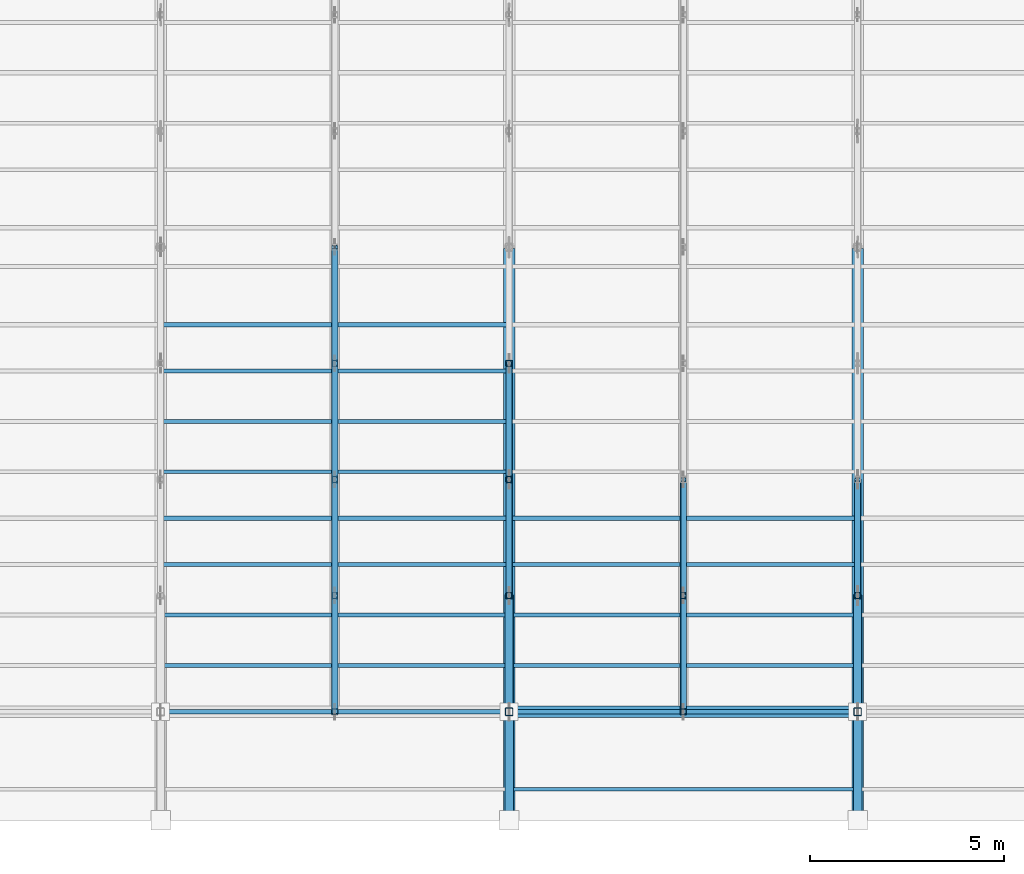
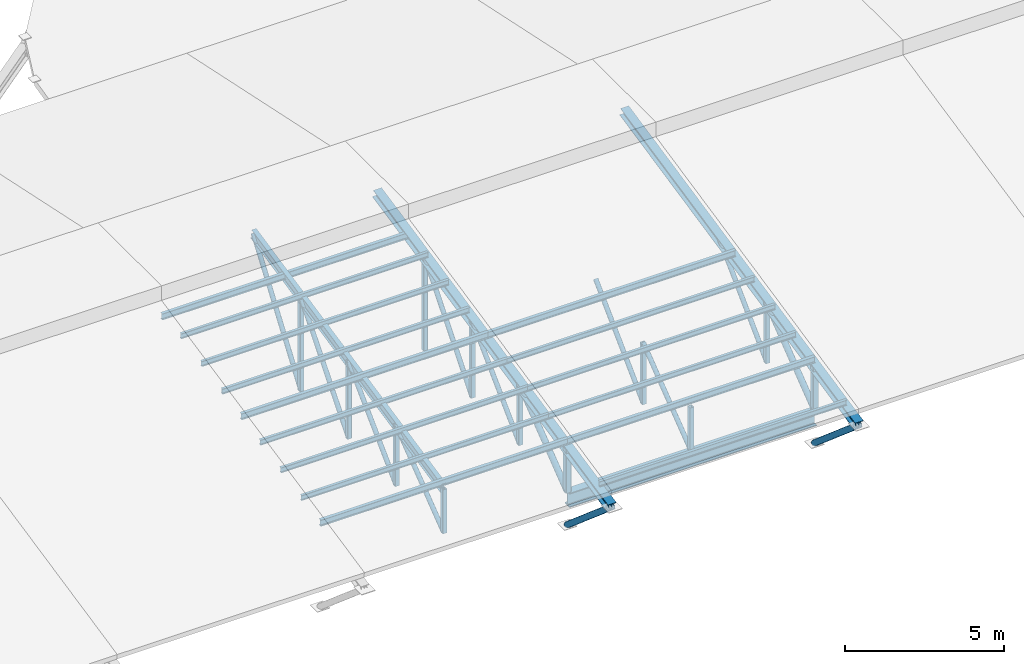
# One storey, part 10 of 43: 43 members, 1 beam.
"""IFC4 building model written with IfcOpenShell, lengths in metres."""

from ifc_helpers import new_model, si_unit, direction, frame, origin, origin_2d, place, context, subcontext, project, spatial, hollow_rectangle, hollow_circle, i_section, extrude, material, material_profile, profile_set, type_object, element, save


model = new_model("IFC4")

# Units and contexts
model_context = context("Model", 3, precision=1e-05, world=origin(), true_north=direction((0.0, 1.0)))
body_context = subcontext(model_context, "Body", "Model", "MODEL_VIEW")
ifc_project = project(units=[si_unit("LENGTHUNIT", "METRE"), si_unit("AREAUNIT", "SQUARE_METRE"), si_unit("VOLUMEUNIT", "CUBIC_METRE"), si_unit("PLANEANGLEUNIT", "RADIAN"), si_unit("MASSUNIT", "GRAM", prefix="KILO")], contexts=[model_context])

# Site, building, storey
site_placement = place(None, origin())
site = spatial("IfcSite", under=ifc_project, at=site_placement, CompositionType="ELEMENT")
building_placement = place(site_placement, origin())
building = spatial("IfcBuilding", under=site, at=building_placement, Name="Serraforn Aerial Cableway Station", CompositionType="ELEMENT")
storey_placement = place(building_placement, frame((0.0, 0.0, 18.300048828125)))
storey = spatial("IfcBuildingStorey", under=building, at=storey_placement, Name="RF", CompositionType="ELEMENT", Elevation=18.300048828125)

# Beam
ifc_material_1 = material(Name="Steel S355J2", Category="steel")
ifc_material_profile_1 = material_profile(ifc_material_1, i_section(OverallWidth=0.300048828125, OverallDepth=0.550048828125, WebThickness=0.014892578125, FlangeThickness=0.029052734375, FilletRadius=0.027099609375, at=origin_2d()), Name="HEB 550")
ifc_profile_set_1 = profile_set([ifc_material_profile_1], Name="Steel S355J2")
beam_type = type_object("IfcBeamType", Name="BM-ST-HEB550", PredefinedType="USERDEFINED", material=ifc_profile_set_1)
beam_placement = place(storey_placement, frame((54.60009765625, 18.0, -1.625), z_axis=(1.0, 0.0, 0.0), x_axis=(0.0, 1.0, 0.0)))
element("IfcBeam", 1, at=beam_placement, inside=storey, type_object=beam_type, Name="Boarding Hall Eave Girder S-4", ObjectType="GIRDER", PredefinedType="USERDEFINED", context=body_context, shape_type="SweptSolid", body=[
    extrude(i_section(OverallWidth=0.300048828125, OverallDepth=0.550048828125, WebThickness=0.014892578125, FlangeThickness=0.029052734375, FilletRadius=0.027099609375, at=origin_2d()), origin(), (0.0, 0.0, 1.0), 9.0),
])

# Members
ifc_material_profile_2 = material_profile(ifc_material_1, hollow_circle(Radius=0.084228515625, WallThickness=0.008056640625, at=origin_2d()), Name="CHS 168.3x8.0")
ifc_profile_set_2 = profile_set([ifc_material_profile_2], Name="Steel S355J2")
member_type_1 = type_object("IfcMemberType", Name="MEM-DG-CHS168", PredefinedType="BRACE", material=ifc_profile_set_2)
member_1_placement = place(storey_placement, frame((54.60009765625, 21.0, -1.35009765625), z_axis=(0.0, 0.71294245933, 0.701222539344), x_axis=(-1.0, 0.0, 0.0)))
element("IfcMember", 2, at=member_1_placement, inside=storey, type_object=member_type_1, Name="Roof Truss TR-04 Diagonal 2", PredefinedType="BRACE", context=body_context, shape_type="SweptSolid", body=[
    extrude(hollow_circle(Radius=0.084228515625, WallThickness=0.008056640625, at=origin_2d()), origin(), (0.0, 0.0, 1.0), 4.2080078125),
])
member_2_placement = place(storey_placement, frame((54.60009765625, 24.0, -1.35009765625), z_axis=(0.0, 0.641405529785, 0.767202024477), x_axis=(-1.0, 0.0, 0.0)))
element("IfcMember", 3, at=member_2_placement, inside=storey, type_object=member_type_1, Name="Roof Truss TR-04 Diagonal 3", PredefinedType="BRACE", context=body_context, shape_type="SweptSolid", body=[
    extrude(hollow_circle(Radius=0.084228515625, WallThickness=0.008056640625, at=origin_2d()), origin(), (0.0, 0.0, 1.0), 4.67724609375),
])
member_3_placement = place(storey_placement, frame((63.60009765625, 21.0, -1.35009765625), z_axis=(0.0, 0.71294245933, 0.701222539344), x_axis=(-1.0, 0.0, 0.0)))
element("IfcMember", 4, at=member_3_placement, inside=storey, type_object=member_type_1, Name="Roof Truss TR-05 Diagonal 2", PredefinedType="BRACE", context=body_context, shape_type="SweptSolid", body=[
    extrude(hollow_circle(Radius=0.084228515625, WallThickness=0.008056640625, at=origin_2d()), origin(), (0.0, 0.0, 1.0), 4.2080078125),
])
member_4_placement = place(storey_placement, frame((50.10009765625, 18.0, -1.35009765625), z_axis=(0.0, 0.791947867333, 0.610588712168), x_axis=(-1.0, 0.0, 0.0)))
element("IfcMember", 5, at=member_4_placement, inside=storey, type_object=member_type_1, Name="Intermediate Truss TRM-03 Diagonal 1", PredefinedType="BRACE", context=body_context, shape_type="SweptSolid", body=[
    extrude(hollow_circle(Radius=0.084228515625, WallThickness=0.008056640625, at=origin_2d()), origin(), (0.0, 0.0, 1.0), 3.7880859375),
])
member_5_placement = place(storey_placement, frame((50.10009765625, 21.0, -1.35009765625), z_axis=(0.0, 0.71294245933, 0.701222539344), x_axis=(-1.0, 0.0, 0.0)))
element("IfcMember", 6, at=member_5_placement, inside=storey, type_object=member_type_1, Name="Intermediate Truss TRM-03 Diagonal 2", PredefinedType="BRACE", context=body_context, shape_type="SweptSolid", body=[
    extrude(hollow_circle(Radius=0.084228515625, WallThickness=0.008056640625, at=origin_2d()), origin(), (0.0, 0.0, 1.0), 4.2080078125),
])
member_6_placement = place(storey_placement, frame((50.10009765625, 24.0, -1.35009765625), z_axis=(0.0, 0.641405529785, 0.767202024477), x_axis=(-1.0, 0.0, 0.0)))
element("IfcMember", 7, at=member_6_placement, inside=storey, type_object=member_type_1, Name="Intermediate Truss TRM-03 Diagonal 3", PredefinedType="BRACE", context=body_context, shape_type="SweptSolid", body=[
    extrude(hollow_circle(Radius=0.084228515625, WallThickness=0.008056640625, at=origin_2d()), origin(), (0.0, 0.0, 1.0), 4.67724609375),
])
member_7_placement = place(storey_placement, frame((50.10009765625, 27.0, -1.35009765625), z_axis=(0.0, 0.578856146563, 0.815429679118), x_axis=(-1.0, 0.0, 0.0)))
element("IfcMember", 8, at=member_7_placement, inside=storey, type_object=member_type_1, Name="Intermediate Truss TRM-03 Diagonal 4", PredefinedType="BRACE", context=body_context, shape_type="SweptSolid", body=[
    extrude(hollow_circle(Radius=0.084228515625, WallThickness=0.008056640625, at=origin_2d()), origin(), (0.0, 0.0, 1.0), 5.1826171875),
])
member_8_placement = place(storey_placement, frame((59.10009765625, 18.0, -1.35009765625), z_axis=(0.0, 0.791947867333, 0.610588712168), x_axis=(-1.0, 0.0, 0.0)))
element("IfcMember", 9, at=member_8_placement, inside=storey, type_object=member_type_1, Name="Intermediate Truss TRM-04 Diagonal 1", PredefinedType="BRACE", context=body_context, shape_type="SweptSolid", body=[
    extrude(hollow_circle(Radius=0.084228515625, WallThickness=0.008056640625, at=origin_2d()), origin(), (0.0, 0.0, 1.0), 3.7880859375),
])
member_9_placement = place(storey_placement, frame((59.10009765625, 21.0, -1.35009765625), z_axis=(0.0, 0.71294245933, 0.701222539344), x_axis=(-1.0, 0.0, 0.0)))
element("IfcMember", 10, at=member_9_placement, inside=storey, type_object=member_type_1, Name="Intermediate Truss TRM-04 Diagonal 2", PredefinedType="BRACE", context=body_context, shape_type="SweptSolid", body=[
    extrude(hollow_circle(Radius=0.084228515625, WallThickness=0.008056640625, at=origin_2d()), origin(), (0.0, 0.0, 1.0), 4.2080078125),
])
ifc_material_profile_3 = material_profile(ifc_material_1, hollow_circle(Radius=0.109619140625, WallThickness=0.010009765625, at=origin_2d()), Name="CHS 219.1x10.0")
ifc_profile_set_3 = profile_set([ifc_material_profile_3], Name="Steel S355J2")
member_type_2 = type_object("IfcMemberType", Name="MEM-DG-CHS219", PredefinedType="BRACE", material=ifc_profile_set_3)
member_10_placement = place(storey_placement, frame((54.60009765625, 18.0, -2.650146484375), z_axis=(0.0, -0.760584469832, 0.649238988548), x_axis=(1.0, 0.0, 0.0)))
element("IfcMember", 11, at=member_10_placement, inside=storey, type_object=member_type_2, Name="Roof Truss TR-04 Eave Knee Strut ES", PredefinedType="BRACE", context=body_context, shape_type="SweptSolid", body=[
    extrude(hollow_circle(Radius=0.109619140625, WallThickness=0.010009765625, at=origin_2d()), origin(), (0.0, 0.0, 1.0), 3.681396484375),
])
member_11_placement = place(storey_placement, frame((54.60009765625, 18.0, -1.35009765625), z_axis=(0.0, 0.791947867333, 0.610588712168), x_axis=(-1.0, 0.0, 0.0)))
element("IfcMember", 12, at=member_11_placement, inside=storey, type_object=member_type_2, Name="Roof Truss TR-04 Diagonal 1", PredefinedType="BRACE", context=body_context, shape_type="SweptSolid", body=[
    extrude(hollow_circle(Radius=0.109619140625, WallThickness=0.010009765625, at=origin_2d()), origin(), (0.0, 0.0, 1.0), 3.7880859375),
])
member_12_placement = place(storey_placement, frame((63.60009765625, 18.0, -2.650146484375), z_axis=(0.0, -0.760584469832, 0.649238988548), x_axis=(1.0, 0.0, 0.0)))
element("IfcMember", 13, at=member_12_placement, inside=storey, type_object=member_type_2, Name="Roof Truss TR-05 Eave Knee Strut ES", PredefinedType="BRACE", context=body_context, shape_type="SweptSolid", body=[
    extrude(hollow_circle(Radius=0.109619140625, WallThickness=0.010009765625, at=origin_2d()), origin(), (0.0, 0.0, 1.0), 3.681396484375),
])
member_13_placement = place(storey_placement, frame((63.60009765625, 18.0, -1.35009765625), z_axis=(0.0, 0.791947867333, 0.610588712168), x_axis=(-1.0, 0.0, 0.0)))
element("IfcMember", 14, at=member_13_placement, inside=storey, type_object=member_type_2, Name="Roof Truss TR-05 Diagonal 1", PredefinedType="BRACE", context=body_context, shape_type="SweptSolid", body=[
    extrude(hollow_circle(Radius=0.109619140625, WallThickness=0.010009765625, at=origin_2d()), origin(), (0.0, 0.0, 1.0), 3.7880859375),
])
ifc_material_2 = material(Name="Steel S355JR", Category="steel")
ifc_material_profile_4 = material_profile(ifc_material_2, i_section(OverallWidth=0.10009765625, OverallDepth=0.199951171875, WebThickness=0.005615234375, FlangeThickness=0.008544921875, FilletRadius=0.011962890625, at=origin_2d()), Name="IPE 200")
ifc_profile_set_4 = profile_set([ifc_material_profile_4], Name="Steel S355JR")
member_type_3 = type_object("IfcMemberType", Name="MEM-PR-IPE200", PredefinedType="PURLIN", material=ifc_profile_set_4)
for number, where, z_axis, x_axis, name in (
    (15, (45.60009765625, 20.5, 1.1005859375), (1.0, 0.0, 0.0), (0.0, 1.0, 0.0), "Boarding Hall Purlin 3-3"),
    (16, (45.60009765625, 25.5, 2.163330078125), (1.0, 0.0, 0.0), (0.0, 1.0, 0.0), "Boarding Hall Purlin 3-5"),
    (17, (54.60009765625, 16.0, 0.14404296875), (1.0, 0.0, 0.0), (0.0, 1.0, 0.0), "Boarding Hall Purlin 4-1"),
    (18, (54.60009765625, 20.5, 1.1005859375), (1.0, 0.0, 0.0), (0.0, 1.0, 0.0), "Boarding Hall Purlin 4-3"),
    (19, (45.60009765625, 19.199951171875, 0.824462890625), (1.0, 0.0, 0.0), (0.0, 1.0, 0.0), "Boarding Hall Secondary Purlin 3-1"),
    (20, (45.60009765625, 21.800048828125, 1.376953125), (1.0, 0.0, 0.0), (0.0, 1.0, 0.0), "Boarding Hall Secondary Purlin 3-2"),
    (21, (45.60009765625, 24.199951171875, 1.88720703125), (1.0, 0.0, 0.0), (0.0, 1.0, 0.0), "Boarding Hall Secondary Purlin 3-3"),
    (22, (45.60009765625, 26.800048828125, 2.439697265625), (1.0, 0.0, 0.0), (0.0, 1.0, 0.0), "Boarding Hall Secondary Purlin 3-4"),
    (23, (54.60009765625, 19.199951171875, 0.824462890625), (1.0, 0.0, 0.0), (0.0, 1.0, 0.0), "Boarding Hall Secondary Purlin 4-1"),
    (24, (54.60009765625, 21.800048828125, 1.376953125), (1.0, 0.0, 0.0), (0.0, 1.0, 0.0), "Boarding Hall Secondary Purlin 4-2"),
):
    element("IfcMember", number, at=place(storey_placement, frame(where, z_axis=z_axis, x_axis=x_axis)), inside=storey, type_object=member_type_3, Name=name, PredefinedType="PURLIN", context=body_context, shape_type="SweptSolid", body=[
        extrude(i_section(OverallWidth=0.10009765625, OverallDepth=0.199951171875, WebThickness=0.005615234375, FlangeThickness=0.008544921875, FilletRadius=0.011962890625, at=origin_2d()), origin(), (0.0, 0.0, 1.0), 9.0),
    ])
ifc_material_profile_5 = material_profile(ifc_material_2, i_section(OverallWidth=0.1201171875, OverallDepth=0.239990234375, WebThickness=0.006103515625, FlangeThickness=0.009765625, FilletRadius=0.014892578125, at=origin_2d()), Name="IPE 240")
ifc_profile_set_5 = profile_set([ifc_material_profile_5], Name="Steel S355JR")
member_type_4 = type_object("IfcMemberType", Name="MEM-PR-IPE240", PredefinedType="PURLIN", material=ifc_profile_set_5)
for number, where, z_axis, x_axis, name in (
    (25, (45.60009765625, 18.0, 0.58935546875), (1.0, 0.0, 0.0), (0.0, 1.0, 0.0), "Boarding Hall Purlin 3-2"),
    (26, (45.60009765625, 23.0, 1.652099609375), (1.0, 0.0, 0.0), (0.0, 1.0, 0.0), "Boarding Hall Purlin 3-4"),
    (27, (45.60009765625, 28.0, 2.4658203125), (1.0, 0.0, 0.0), (0.0, 1.0, 0.0), "Boarding Hall Purlin 3-6"),
    (28, (54.60009765625, 18.0, 0.58935546875), (1.0, 0.0, 0.0), (0.0, 1.0, 0.0), "Boarding Hall Purlin 4-2"),
    (29, (54.60009765625, 23.0, 1.652099609375), (1.0, 0.0, 0.0), (0.0, 1.0, 0.0), "Boarding Hall Purlin 4-4"),
):
    element("IfcMember", number, at=place(storey_placement, frame(where, z_axis=z_axis, x_axis=x_axis)), inside=storey, type_object=member_type_4, Name=name, PredefinedType="PURLIN", context=body_context, shape_type="SweptSolid", body=[
        extrude(i_section(OverallWidth=0.1201171875, OverallDepth=0.239990234375, WebThickness=0.006103515625, FlangeThickness=0.009765625, FilletRadius=0.014892578125, at=origin_2d()), origin(), (0.0, 0.0, 1.0), 9.0),
    ])
ifc_material_profile_6 = material_profile(ifc_material_1, i_section(OverallWidth=0.300048828125, OverallDepth=0.300048828125, WebThickness=0.010986328125, FlangeThickness=0.01904296875, FilletRadius=0.027099609375, at=origin_2d()), Name="HEB 300")
ifc_profile_set_6 = profile_set([ifc_material_profile_6], Name="Steel S355J2")
member_type_5 = type_object("IfcMemberType", Name="MEM-TC-HEB300", PredefinedType="CHORD", material=ifc_profile_set_6)
for number, where, z_axis, x_axis, name in (
    (30, (54.60009765625, 15.199951171875, -0.27001953125), (0.0, 0.978145603362, 0.207921087493), (-1.0, 0.0, 0.0), "Roof Truss TR-04 Top Chord 1"),
    (31, (63.60009765625, 15.199951171875, -0.27001953125), (0.0, 0.978145603362, 0.207921087493), (-1.0, 0.0, 0.0), "Roof Truss TR-05 Top Chord 1"),
):
    element("IfcMember", number, at=place(storey_placement, frame(where, z_axis=z_axis, x_axis=x_axis)), inside=storey, type_object=member_type_5, Name=name, PredefinedType="CHORD", context=body_context, shape_type="SweptSolid", body=[
        extrude(i_section(OverallWidth=0.300048828125, OverallDepth=0.300048828125, WebThickness=0.010986328125, FlangeThickness=0.01904296875, FilletRadius=0.027099609375, at=origin_2d()), origin(), (0.0, 0.0, 1.0), 15.130615234375),
    ])
ifc_material_profile_7 = material_profile(ifc_material_1, i_section(OverallWidth=0.169921875, OverallDepth=0.360107421875, WebThickness=0.008056640625, FlangeThickness=0.0126953125, FilletRadius=0.01806640625, at=origin_2d()), Name="IPE 360")
ifc_profile_set_7 = profile_set([ifc_material_profile_7], Name="Steel S355J2")
member_type_6 = type_object("IfcMemberType", Name="MEM-TC-IPE360", PredefinedType="CHORD", material=ifc_profile_set_7)
member_14_placement = place(storey_placement, frame((50.10009765625, 18.0, 0.3251953125), z_axis=(0.0, 0.978145901394, 0.20791968542), x_axis=(-1.0, 0.0, 0.0)))
element("IfcMember", 32, at=member_14_placement, inside=storey, type_object=member_type_6, Name="Intermediate Truss TRM-03 Top Chord 1", PredefinedType="CHORD", context=body_context, shape_type="SweptSolid", body=[
    extrude(i_section(OverallWidth=0.169921875, OverallDepth=0.360107421875, WebThickness=0.008056640625, FlangeThickness=0.0126953125, FilletRadius=0.01806640625, at=origin_2d()), origin(), (0.0, 0.0, 1.0), 12.26806640625),
])
ifc_material_profile_8 = material_profile(ifc_material_1, hollow_rectangle(XDim=0.159912109375, YDim=0.159912109375, WallThickness=0.008056640625, InnerFilletRadius=0.008056640625, OuterFilletRadius=0.01611328125, at=origin_2d()), Name="SHS 160x160x8.0")
ifc_profile_set_8 = profile_set([ifc_material_profile_8], Name="Steel S355J2")
member_type_7 = type_object("IfcMemberType", Name="MEM-VP-SHS160", PredefinedType="STRUT", material=ifc_profile_set_8)
member_15_placement = place(storey_placement, frame((54.60009765625, 21.0, -1.360107421875), z_axis=(0.0, 0.0, 1.0), x_axis=(1.0, 0.0, 0.0)))
element("IfcMember", 33, at=member_15_placement, inside=storey, type_object=member_type_7, Name="Roof Truss TR-04 Vertical Post 2", PredefinedType="STRUT", context=body_context, shape_type="SweptSolid", body=[
    extrude(hollow_rectangle(XDim=0.159912109375, YDim=0.159912109375, WallThickness=0.008056640625, InnerFilletRadius=0.008056640625, OuterFilletRadius=0.01611328125, at=origin_2d()), origin(), (0.0, 0.0, 1.0), 2.3330078125),
])
member_16_placement = place(storey_placement, frame((54.60009765625, 24.0, -1.360107421875), z_axis=(0.0, 0.0, 1.0), x_axis=(1.0, 0.0, 0.0)))
element("IfcMember", 34, at=member_16_placement, inside=storey, type_object=member_type_7, Name="Roof Truss TR-04 Vertical Post 3", PredefinedType="STRUT", context=body_context, shape_type="SweptSolid", body=[
    extrude(hollow_rectangle(XDim=0.159912109375, YDim=0.159912109375, WallThickness=0.008056640625, InnerFilletRadius=0.008056640625, OuterFilletRadius=0.01611328125, at=origin_2d()), origin(), (0.0, 0.0, 1.0), 2.970703125),
])
member_17_placement = place(storey_placement, frame((54.60009765625, 27.0, -1.360107421875), z_axis=(0.0, 0.0, 1.0), x_axis=(1.0, 0.0, 0.0)))
element("IfcMember", 35, at=member_17_placement, inside=storey, type_object=member_type_7, Name="Roof Truss TR-04 Vertical Post 4", PredefinedType="STRUT", context=body_context, shape_type="SweptSolid", body=[
    extrude(hollow_rectangle(XDim=0.159912109375, YDim=0.159912109375, WallThickness=0.008056640625, InnerFilletRadius=0.008056640625, OuterFilletRadius=0.01611328125, at=origin_2d()), origin(), (0.0, 0.0, 1.0), 3.6083984375),
])
member_18_placement = place(storey_placement, frame((63.60009765625, 21.0, -1.360107421875), z_axis=(0.0, 0.0, 1.0), x_axis=(1.0, 0.0, 0.0)))
element("IfcMember", 36, at=member_18_placement, inside=storey, type_object=member_type_7, Name="Roof Truss TR-05 Vertical Post 2", PredefinedType="STRUT", context=body_context, shape_type="SweptSolid", body=[
    extrude(hollow_rectangle(XDim=0.159912109375, YDim=0.159912109375, WallThickness=0.008056640625, InnerFilletRadius=0.008056640625, OuterFilletRadius=0.01611328125, at=origin_2d()), origin(), (0.0, 0.0, 1.0), 2.3330078125),
])
member_19_placement = place(storey_placement, frame((50.10009765625, 18.0, -1.360107421875), z_axis=(0.0, 0.0, 1.0), x_axis=(1.0, 0.0, 0.0)))
element("IfcMember", 37, at=member_19_placement, inside=storey, type_object=member_type_7, Name="Intermediate Truss TRM-03 Post 1", PredefinedType="STRUT", context=body_context, shape_type="SweptSolid", body=[
    extrude(hollow_rectangle(XDim=0.159912109375, YDim=0.159912109375, WallThickness=0.008056640625, InnerFilletRadius=0.008056640625, OuterFilletRadius=0.01611328125, at=origin_2d()), origin(), (0.0, 0.0, 1.0), 1.6953125),
])
member_20_placement = place(storey_placement, frame((50.10009765625, 21.0, -1.360107421875), z_axis=(0.0, 0.0, 1.0), x_axis=(1.0, 0.0, 0.0)))
element("IfcMember", 38, at=member_20_placement, inside=storey, type_object=member_type_7, Name="Intermediate Truss TRM-03 Post 2", PredefinedType="STRUT", context=body_context, shape_type="SweptSolid", body=[
    extrude(hollow_rectangle(XDim=0.159912109375, YDim=0.159912109375, WallThickness=0.008056640625, InnerFilletRadius=0.008056640625, OuterFilletRadius=0.01611328125, at=origin_2d()), origin(), (0.0, 0.0, 1.0), 2.3330078125),
])
member_21_placement = place(storey_placement, frame((50.10009765625, 24.0, -1.360107421875), z_axis=(0.0, 0.0, 1.0), x_axis=(1.0, 0.0, 0.0)))
element("IfcMember", 39, at=member_21_placement, inside=storey, type_object=member_type_7, Name="Intermediate Truss TRM-03 Post 3", PredefinedType="STRUT", context=body_context, shape_type="SweptSolid", body=[
    extrude(hollow_rectangle(XDim=0.159912109375, YDim=0.159912109375, WallThickness=0.008056640625, InnerFilletRadius=0.008056640625, OuterFilletRadius=0.01611328125, at=origin_2d()), origin(), (0.0, 0.0, 1.0), 2.970703125),
])
member_22_placement = place(storey_placement, frame((50.10009765625, 27.0, -1.360107421875), z_axis=(0.0, 0.0, 1.0), x_axis=(1.0, 0.0, 0.0)))
element("IfcMember", 40, at=member_22_placement, inside=storey, type_object=member_type_7, Name="Intermediate Truss TRM-03 Post 4", PredefinedType="STRUT", context=body_context, shape_type="SweptSolid", body=[
    extrude(hollow_rectangle(XDim=0.159912109375, YDim=0.159912109375, WallThickness=0.008056640625, InnerFilletRadius=0.008056640625, OuterFilletRadius=0.01611328125, at=origin_2d()), origin(), (0.0, 0.0, 1.0), 3.6083984375),
])
member_23_placement = place(storey_placement, frame((59.10009765625, 18.0, -1.360107421875), z_axis=(0.0, 0.0, 1.0), x_axis=(1.0, 0.0, 0.0)))
element("IfcMember", 41, at=member_23_placement, inside=storey, type_object=member_type_7, Name="Intermediate Truss TRM-04 Post 1", PredefinedType="STRUT", context=body_context, shape_type="SweptSolid", body=[
    extrude(hollow_rectangle(XDim=0.159912109375, YDim=0.159912109375, WallThickness=0.008056640625, InnerFilletRadius=0.008056640625, OuterFilletRadius=0.01611328125, at=origin_2d()), origin(), (0.0, 0.0, 1.0), 1.6953125),
])
member_24_placement = place(storey_placement, frame((59.10009765625, 21.0, -1.360107421875), z_axis=(0.0, 0.0, 1.0), x_axis=(1.0, 0.0, 0.0)))
element("IfcMember", 42, at=member_24_placement, inside=storey, type_object=member_type_7, Name="Intermediate Truss TRM-04 Post 2", PredefinedType="STRUT", context=body_context, shape_type="SweptSolid", body=[
    extrude(hollow_rectangle(XDim=0.159912109375, YDim=0.159912109375, WallThickness=0.008056640625, InnerFilletRadius=0.008056640625, OuterFilletRadius=0.01611328125, at=origin_2d()), origin(), (0.0, 0.0, 1.0), 2.3330078125),
])
ifc_material_profile_9 = material_profile(ifc_material_1, hollow_rectangle(XDim=0.199951171875, YDim=0.199951171875, WallThickness=0.010009765625, InnerFilletRadius=0.010009765625, OuterFilletRadius=0.02001953125, at=origin_2d()), Name="SHS 200x200x10.0")
ifc_profile_set_9 = profile_set([ifc_material_profile_9], Name="Steel S355J2")
member_type_8 = type_object("IfcMemberType", Name="MEM-VP-SHS200", PredefinedType="STRUT", material=ifc_profile_set_9)
for number, where, z_axis, x_axis, name in (
    (43, (54.60009765625, 18.0, -1.360107421875), (0.0, 0.0, 1.0), (1.0, 0.0, 0.0), "Roof Truss TR-04 Vertical Post 1"),
    (44, (63.60009765625, 18.0, -1.360107421875), (0.0, 0.0, 1.0), (1.0, 0.0, 0.0), "Roof Truss TR-05 Vertical Post 1"),
):
    element("IfcMember", number, at=place(storey_placement, frame(where, z_axis=z_axis, x_axis=x_axis)), inside=storey, type_object=member_type_8, Name=name, PredefinedType="STRUT", context=body_context, shape_type="SweptSolid", body=[
        extrude(hollow_rectangle(XDim=0.199951171875, YDim=0.199951171875, WallThickness=0.010009765625, InnerFilletRadius=0.010009765625, OuterFilletRadius=0.02001953125, at=origin_2d()), origin(), (0.0, 0.0, 1.0), 1.6953125),
    ])

save(model, "model.ifc")
